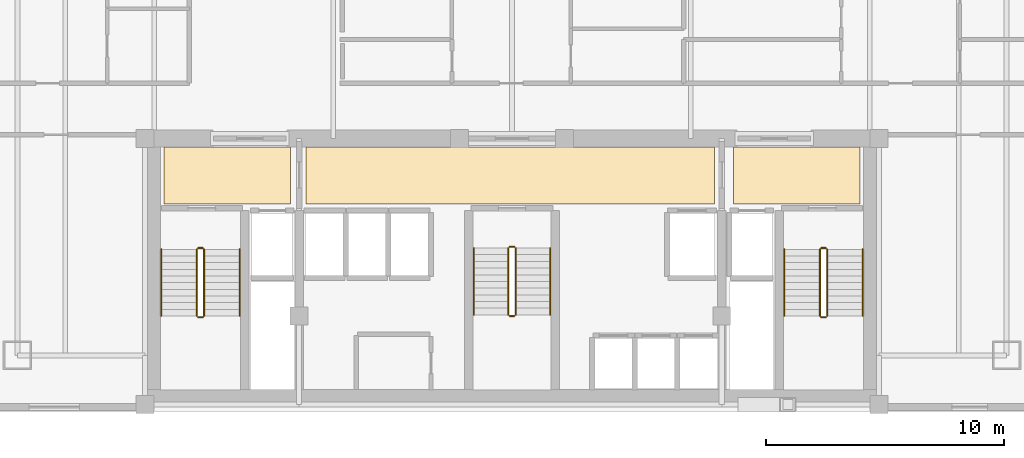
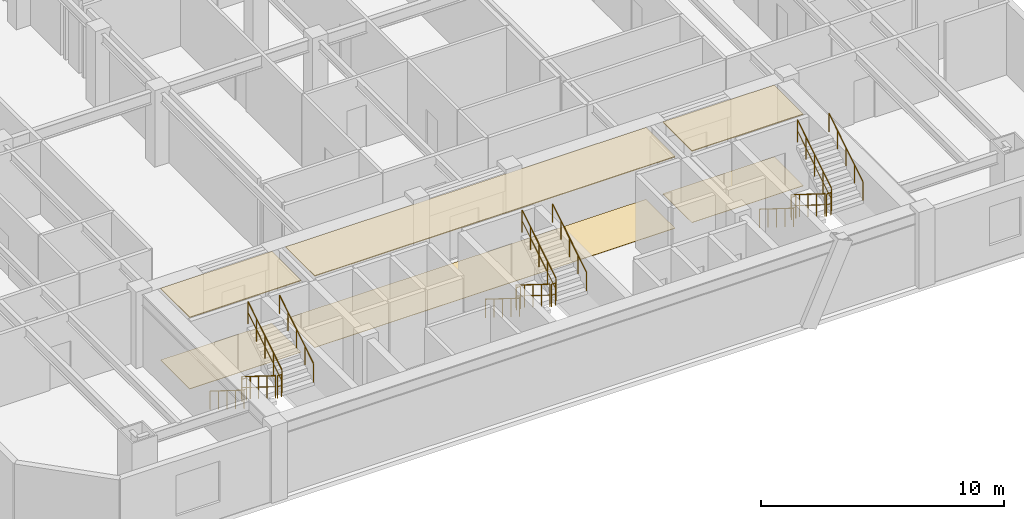
# One storey, part 9 of 9: 18 railings, 6 coverings.
"""IFC4 building model written with IfcOpenShell, lengths in metres."""

from ifc_helpers import new_model, si_unit, direction, frame, origin, origin_2d, place, context, subcontext, project, spatial, polyline, circle, outline, extrude, material, layer, layer_set, type_object, element, save


model = new_model("IFC4")

# Units and contexts
model_context = context("Model", 3, precision=1e-05, world=origin(), true_north=direction((0.0, 1.0)))
body_context = subcontext(model_context, "Body", "Model", "MODEL_VIEW")
ifc_project = project(units=[si_unit("LENGTHUNIT", "METRE"), si_unit("AREAUNIT", "SQUARE_METRE"), si_unit("VOLUMEUNIT", "CUBIC_METRE"), si_unit("PLANEANGLEUNIT", "RADIAN"), si_unit("MASSUNIT", "GRAM", prefix="KILO")], contexts=[model_context])

# Site, building, storey
site_placement = place(None, origin())
site = spatial("IfcSite", under=ifc_project, at=site_placement, CompositionType="ELEMENT")
building_placement = place(site_placement, origin())
building = spatial("IfcBuilding", under=site, at=building_placement, Name="Ventersveld Concourse Tower", CompositionType="ELEMENT")
storey_placement = place(building_placement, frame((0.0, 0.0, 145.199951171875)))
storey = spatial("IfcBuildingStorey", under=building, at=storey_placement, Name="L35", CompositionType="ELEMENT", Elevation=145.199951171875)

# Coverings
ifc_material_1 = material(Name="Mineral-fibre acoustic ceiling tile", Category="gypsum")
ifc_layer_1 = layer(ifc_material_1, 0.0400390625)
ifc_layer_set_1 = layer_set([ifc_layer_1], Name="Mineral-fibre acoustic ceiling tile")
covering_type_1 = type_object("IfcCoveringType", Name="COV-CEIL-ACOUSTIC", PredefinedType="CEILING", material=ifc_layer_set_1)
covering_1_placement = place(storey_placement, frame((0.0, 0.0, 3.590087890625)))
element("IfcCovering", 1, at=covering_1_placement, inside=storey, type_object=covering_type_1, Name="L35 North Lift Lobby Acoustic Ceiling", PredefinedType="CEILING", context=body_context, shape_type="SweptSolid", body=[
    extrude(outline(polyline([(20.10009765625, 8.699951171875), (37.25, 8.699951171875), (37.25, 11.10009765625), (20.10009765625, 11.10009765625), (20.10009765625, 8.699951171875)])), origin(), (0.0, 0.0, 1.0), 0.0400390625),
])
covering_2_placement = place(storey_placement, frame((0.0, 0.0, 3.590087890625)))
element("IfcCovering", 2, at=covering_2_placement, inside=storey, type_object=covering_type_1, Name="L35 West Firefighting Lobby Acoustic Ceiling", PredefinedType="CEILING", context=body_context, shape_type="SweptSolid", body=[
    extrude(outline(polyline([(14.14990234375, 8.699951171875), (19.449951171875, 8.699951171875), (19.449951171875, 11.10009765625), (14.14990234375, 11.10009765625), (14.14990234375, 8.699951171875)])), origin(), (0.0, 0.0, 1.0), 0.0400390625),
])
covering_3_placement = place(storey_placement, frame((0.0, 0.0, 3.590087890625)))
element("IfcCovering", 3, at=covering_3_placement, inside=storey, type_object=covering_type_1, Name="L35 East Firefighting Lobby Acoustic Ceiling", PredefinedType="CEILING", context=body_context, shape_type="SweptSolid", body=[
    extrude(outline(polyline([(38.050048828125, 8.699951171875), (43.35009765625, 8.699951171875), (43.35009765625, 11.10009765625), (38.050048828125, 11.10009765625), (38.050048828125, 8.699951171875)])), origin(), (0.0, 0.0, 1.0), 0.0400390625),
])
ifc_material_2 = material(Name="Polished Highveld granite terrazzo", Category="masonry")
ifc_layer_2 = layer(ifc_material_2, 0.02001953125)
ifc_layer_set_2 = layer_set([ifc_layer_2], Name="Polished Highveld granite terrazzo")
covering_type_2 = type_object("IfcCoveringType", Name="COV-FLOOR-TERRAZZO", PredefinedType="FLOORING", material=ifc_layer_set_2)
covering_4_placement = place(storey_placement, origin())
element("IfcCovering", 4, at=covering_4_placement, inside=storey, type_object=covering_type_2, Name="L35 North Lift Lobby Terrazzo Flooring", PredefinedType="FLOORING", context=body_context, shape_type="SweptSolid", body=[
    extrude(outline(polyline([(20.10009765625, 8.699951171875), (37.25, 8.699951171875), (37.25, 11.10009765625), (20.10009765625, 11.10009765625), (20.10009765625, 8.699951171875)])), origin(), (0.0, 0.0, 1.0), 0.02001953125),
])
covering_5_placement = place(storey_placement, origin())
element("IfcCovering", 5, at=covering_5_placement, inside=storey, type_object=covering_type_2, Name="L35 West Firefighting Lobby Terrazzo Flooring", PredefinedType="FLOORING", context=body_context, shape_type="SweptSolid", body=[
    extrude(outline(polyline([(14.14990234375, 8.699951171875), (19.449951171875, 8.699951171875), (19.449951171875, 11.10009765625), (14.14990234375, 11.10009765625), (14.14990234375, 8.699951171875)])), origin(), (0.0, 0.0, 1.0), 0.02001953125),
])
covering_6_placement = place(storey_placement, origin())
element("IfcCovering", 6, at=covering_6_placement, inside=storey, type_object=covering_type_2, Name="L35 East Firefighting Lobby Terrazzo Flooring", PredefinedType="FLOORING", context=body_context, shape_type="SweptSolid", body=[
    extrude(outline(polyline([(38.050048828125, 8.699951171875), (43.35009765625, 8.699951171875), (43.35009765625, 11.10009765625), (38.050048828125, 11.10009765625), (38.050048828125, 8.699951171875)])), origin(), (0.0, 0.0, 1.0), 0.02001953125),
])

# Railings
ifc_material_3 = material(Name="Brushed stainless steel 316", Category="steel")
railing_type_1 = type_object("IfcRailingType", Name="GD-BAL-115", PredefinedType="GUARDRAIL", material=ifc_material_3)
railing_1_placement = place(storey_placement, frame((15.530029296875, 6.800048828125, 0.175048828125)))
element("IfcRailing", 7, at=railing_1_placement, inside=storey, type_object=railing_type_1, Name="L35 ST-01 stair guard 1", PredefinedType="GUARDRAIL", context=body_context, shape_type="SweptSolid", body=[
    extrude(circle(Radius=0.02392578125, at=origin_2d()), frame((0.0, 0.0, 1.1259765625), z_axis=(0.0, -0.848002457836, 0.529992293815), x_axis=(1.0, 0.0, 0.0)), (0.0, 0.0, 1.0), 3.302001953125),
    extrude(circle(Radius=0.01611328125, at=origin_2d()), frame((0.0, 0.0, 0.574951171875), z_axis=(0.0, -0.848002457836, 0.529992293815), x_axis=(1.0, 0.0, 0.0)), (0.0, 0.0, 1.0), 3.302001953125),
    extrude(circle(Radius=0.02099609375, at=origin_2d()), origin(), (0.0, 0.0, 1.0), 1.101806640625),
    extrude(circle(Radius=0.02099609375, at=origin_2d()), frame((0.0, -0.699951171875, 0.4375)), (0.0, 0.0, 1.0), 1.101806640625),
    extrude(circle(Radius=0.02099609375, at=origin_2d()), frame((0.0, -1.39990234375, 0.875)), (0.0, 0.0, 1.0), 1.101806640625),
    extrude(circle(Radius=0.02099609375, at=origin_2d()), frame((0.0, -2.10009765625, 1.3125)), (0.0, 0.0, 1.0), 1.101806640625),
    extrude(circle(Radius=0.02099609375, at=origin_2d()), frame((0.0, -2.800048828125, 1.75)), (0.0, 0.0, 1.0), 1.101806640625),
])
railing_2_placement = place(storey_placement, frame((15.580078125, 3.949951171875, 1.925048828125)))
element("IfcRailing", 8, at=railing_2_placement, inside=storey, type_object=railing_type_1, Name="L35 ST-01 stair guard 2", PredefinedType="GUARDRAIL", context=body_context, shape_type="SweptSolid", body=[
    extrude(circle(Radius=0.02392578125, at=origin_2d()), frame((0.0, 0.0, 1.1259765625), z_axis=(1.0, 0.0, 0.0), x_axis=(0.0, 1.0, 0.0)), (0.0, 0.0, 1.0), 0.199951171875),
    extrude(circle(Radius=0.01611328125, at=origin_2d()), frame((0.0, 0.0, 0.574951171875), z_axis=(1.0, 0.0, 0.0), x_axis=(0.0, 1.0, 0.0)), (0.0, 0.0, 1.0), 0.199951171875),
    extrude(circle(Radius=0.02099609375, at=origin_2d()), origin(), (0.0, 0.0, 1.0), 1.101806640625),
    extrude(circle(Radius=0.02099609375, at=origin_2d()), frame((0.199951171875, 0.0, 0.0)), (0.0, 0.0, 1.0), 1.101806640625),
])
railing_3_placement = place(storey_placement, frame((15.830078125, 4.0, 2.10009765625)))
element("IfcRailing", 9, at=railing_3_placement, inside=storey, type_object=railing_type_1, Name="L35 ST-01 stair guard 3", PredefinedType="GUARDRAIL", context=body_context, shape_type="SweptSolid", body=[
    extrude(circle(Radius=0.02392578125, at=origin_2d()), frame((0.0, 0.0, 1.1259765625), z_axis=(0.0, 0.848002457836, 0.529992293815), x_axis=(-1.0, 0.0, 0.0)), (0.0, 0.0, 1.0), 3.302001953125),
    extrude(circle(Radius=0.01611328125, at=origin_2d()), frame((0.0, 0.0, 0.574951171875), z_axis=(0.0, 0.848002457836, 0.529992293815), x_axis=(-1.0, 0.0, 0.0)), (0.0, 0.0, 1.0), 3.302001953125),
    extrude(circle(Radius=0.02099609375, at=origin_2d()), origin(), (0.0, 0.0, 1.0), 1.101806640625),
    extrude(circle(Radius=0.02099609375, at=origin_2d()), frame((0.0, 0.699951171875, 0.4375)), (0.0, 0.0, 1.0), 1.101806640625),
    extrude(circle(Radius=0.02099609375, at=origin_2d()), frame((0.0, 1.39990234375, 0.875)), (0.0, 0.0, 1.0), 1.101806640625),
    extrude(circle(Radius=0.02099609375, at=origin_2d()), frame((0.0, 2.10009765625, 1.3125)), (0.0, 0.0, 1.0), 1.101806640625),
    extrude(circle(Radius=0.02099609375, at=origin_2d()), frame((0.0, 2.800048828125, 1.75)), (0.0, 0.0, 1.0), 1.101806640625),
])
railing_4_placement = place(storey_placement, frame((15.580078125, 6.85009765625, 0.0)))
element("IfcRailing", 10, at=railing_4_placement, inside=storey, type_object=railing_type_1, Name="L35 ST-01 stair guard 4", PredefinedType="GUARDRAIL", context=body_context, shape_type="SweptSolid", body=[
    extrude(circle(Radius=0.02392578125, at=origin_2d()), frame((0.0, 0.0, 1.1259765625), z_axis=(1.0, 0.0, 0.0), x_axis=(0.0, 1.0, 0.0)), (0.0, 0.0, 1.0), 0.199951171875),
    extrude(circle(Radius=0.01611328125, at=origin_2d()), frame((0.0, 0.0, 0.574951171875), z_axis=(1.0, 0.0, 0.0), x_axis=(0.0, 1.0, 0.0)), (0.0, 0.0, 1.0), 0.199951171875),
    extrude(circle(Radius=0.02099609375, at=origin_2d()), origin(), (0.0, 0.0, 1.0), 1.101806640625),
    extrude(circle(Radius=0.02099609375, at=origin_2d()), frame((0.199951171875, 0.0, 0.0)), (0.0, 0.0, 1.0), 1.101806640625),
])
railing_5_placement = place(storey_placement, frame((41.669921875, 6.800048828125, 0.175048828125)))
element("IfcRailing", 11, at=railing_5_placement, inside=storey, type_object=railing_type_1, Name="L35 ST-02 stair guard 1", PredefinedType="GUARDRAIL", context=body_context, shape_type="SweptSolid", body=[
    extrude(circle(Radius=0.02392578125, at=origin_2d()), frame((0.0, 0.0, 1.1259765625), z_axis=(0.0, -0.848002457836, 0.529992293815), x_axis=(1.0, 0.0, 0.0)), (0.0, 0.0, 1.0), 3.302001953125),
    extrude(circle(Radius=0.01611328125, at=origin_2d()), frame((0.0, 0.0, 0.574951171875), z_axis=(0.0, -0.848002457836, 0.529992293815), x_axis=(1.0, 0.0, 0.0)), (0.0, 0.0, 1.0), 3.302001953125),
    extrude(circle(Radius=0.02099609375, at=origin_2d()), origin(), (0.0, 0.0, 1.0), 1.101806640625),
    extrude(circle(Radius=0.02099609375, at=origin_2d()), frame((0.0, -0.699951171875, 0.4375)), (0.0, 0.0, 1.0), 1.101806640625),
    extrude(circle(Radius=0.02099609375, at=origin_2d()), frame((0.0, -1.39990234375, 0.875)), (0.0, 0.0, 1.0), 1.101806640625),
    extrude(circle(Radius=0.02099609375, at=origin_2d()), frame((0.0, -2.10009765625, 1.3125)), (0.0, 0.0, 1.0), 1.101806640625),
    extrude(circle(Radius=0.02099609375, at=origin_2d()), frame((0.0, -2.800048828125, 1.75)), (0.0, 0.0, 1.0), 1.101806640625),
])
railing_6_placement = place(storey_placement, frame((41.719970703125, 3.949951171875, 1.925048828125)))
element("IfcRailing", 12, at=railing_6_placement, inside=storey, type_object=railing_type_1, Name="L35 ST-02 stair guard 2", PredefinedType="GUARDRAIL", context=body_context, shape_type="SweptSolid", body=[
    extrude(circle(Radius=0.02392578125, at=origin_2d()), frame((0.0, 0.0, 1.1259765625), z_axis=(1.0, 0.0, 0.0), x_axis=(0.0, 1.0, 0.0)), (0.0, 0.0, 1.0), 0.199951171875),
    extrude(circle(Radius=0.01611328125, at=origin_2d()), frame((0.0, 0.0, 0.574951171875), z_axis=(1.0, 0.0, 0.0), x_axis=(0.0, 1.0, 0.0)), (0.0, 0.0, 1.0), 0.199951171875),
    extrude(circle(Radius=0.02099609375, at=origin_2d()), origin(), (0.0, 0.0, 1.0), 1.101806640625),
    extrude(circle(Radius=0.02099609375, at=origin_2d()), frame((0.199951171875, 0.0, 0.0)), (0.0, 0.0, 1.0), 1.101806640625),
])
railing_7_placement = place(storey_placement, frame((41.969970703125, 4.0, 2.10009765625)))
element("IfcRailing", 13, at=railing_7_placement, inside=storey, type_object=railing_type_1, Name="L35 ST-02 stair guard 3", PredefinedType="GUARDRAIL", context=body_context, shape_type="SweptSolid", body=[
    extrude(circle(Radius=0.02392578125, at=origin_2d()), frame((0.0, 0.0, 1.1259765625), z_axis=(0.0, 0.848002457836, 0.529992293815), x_axis=(-1.0, 0.0, 0.0)), (0.0, 0.0, 1.0), 3.302001953125),
    extrude(circle(Radius=0.01611328125, at=origin_2d()), frame((0.0, 0.0, 0.574951171875), z_axis=(0.0, 0.848002457836, 0.529992293815), x_axis=(-1.0, 0.0, 0.0)), (0.0, 0.0, 1.0), 3.302001953125),
    extrude(circle(Radius=0.02099609375, at=origin_2d()), origin(), (0.0, 0.0, 1.0), 1.101806640625),
    extrude(circle(Radius=0.02099609375, at=origin_2d()), frame((0.0, 0.699951171875, 0.4375)), (0.0, 0.0, 1.0), 1.101806640625),
    extrude(circle(Radius=0.02099609375, at=origin_2d()), frame((0.0, 1.39990234375, 0.875)), (0.0, 0.0, 1.0), 1.101806640625),
    extrude(circle(Radius=0.02099609375, at=origin_2d()), frame((0.0, 2.10009765625, 1.3125)), (0.0, 0.0, 1.0), 1.101806640625),
    extrude(circle(Radius=0.02099609375, at=origin_2d()), frame((0.0, 2.800048828125, 1.75)), (0.0, 0.0, 1.0), 1.101806640625),
])
railing_8_placement = place(storey_placement, frame((41.719970703125, 6.85009765625, 0.0)))
element("IfcRailing", 14, at=railing_8_placement, inside=storey, type_object=railing_type_1, Name="L35 ST-02 stair guard 4", PredefinedType="GUARDRAIL", context=body_context, shape_type="SweptSolid", body=[
    extrude(circle(Radius=0.02392578125, at=origin_2d()), frame((0.0, 0.0, 1.1259765625), z_axis=(1.0, 0.0, 0.0), x_axis=(0.0, 1.0, 0.0)), (0.0, 0.0, 1.0), 0.199951171875),
    extrude(circle(Radius=0.01611328125, at=origin_2d()), frame((0.0, 0.0, 0.574951171875), z_axis=(1.0, 0.0, 0.0), x_axis=(0.0, 1.0, 0.0)), (0.0, 0.0, 1.0), 0.199951171875),
    extrude(circle(Radius=0.02099609375, at=origin_2d()), origin(), (0.0, 0.0, 1.0), 1.101806640625),
    extrude(circle(Radius=0.02099609375, at=origin_2d()), frame((0.199951171875, 0.0, 0.0)), (0.0, 0.0, 1.0), 1.101806640625),
])
railing_9_placement = place(storey_placement, frame((28.60009765625, 6.85009765625, 0.175048828125)))
element("IfcRailing", 15, at=railing_9_placement, inside=storey, type_object=railing_type_1, Name="L35 ST-03 stair guard 1", PredefinedType="GUARDRAIL", context=body_context, shape_type="SweptSolid", body=[
    extrude(circle(Radius=0.02392578125, at=origin_2d()), frame((0.0, 0.0, 1.1259765625), z_axis=(0.0, -0.848002457836, 0.529992293815), x_axis=(1.0, 0.0, 0.0)), (0.0, 0.0, 1.0), 3.302001953125),
    extrude(circle(Radius=0.01611328125, at=origin_2d()), frame((0.0, 0.0, 0.574951171875), z_axis=(0.0, -0.848002457836, 0.529992293815), x_axis=(1.0, 0.0, 0.0)), (0.0, 0.0, 1.0), 3.302001953125),
    extrude(circle(Radius=0.02099609375, at=origin_2d()), origin(), (0.0, 0.0, 1.0), 1.101806640625),
    extrude(circle(Radius=0.02099609375, at=origin_2d()), frame((0.0, -0.699951171875, 0.4375)), (0.0, 0.0, 1.0), 1.101806640625),
    extrude(circle(Radius=0.02099609375, at=origin_2d()), frame((0.0, -1.39990234375, 0.875)), (0.0, 0.0, 1.0), 1.101806640625),
    extrude(circle(Radius=0.02099609375, at=origin_2d()), frame((0.0, -2.10009765625, 1.3125)), (0.0, 0.0, 1.0), 1.101806640625),
    extrude(circle(Radius=0.02099609375, at=origin_2d()), frame((0.0, -2.800048828125, 1.75)), (0.0, 0.0, 1.0), 1.101806640625),
])
railing_10_placement = place(storey_placement, frame((28.64990234375, 4.0, 1.925048828125)))
element("IfcRailing", 16, at=railing_10_placement, inside=storey, type_object=railing_type_1, Name="L35 ST-03 stair guard 2", PredefinedType="GUARDRAIL", context=body_context, shape_type="SweptSolid", body=[
    extrude(circle(Radius=0.02392578125, at=origin_2d()), frame((0.0, 0.0, 1.1259765625), z_axis=(1.0, 0.0, 0.0), x_axis=(0.0, 1.0, 0.0)), (0.0, 0.0, 1.0), 0.2001953125),
    extrude(circle(Radius=0.01611328125, at=origin_2d()), frame((0.0, 0.0, 0.574951171875), z_axis=(1.0, 0.0, 0.0), x_axis=(0.0, 1.0, 0.0)), (0.0, 0.0, 1.0), 0.2001953125),
    extrude(circle(Radius=0.02099609375, at=origin_2d()), origin(), (0.0, 0.0, 1.0), 1.101806640625),
    extrude(circle(Radius=0.02099609375, at=origin_2d()), frame((0.2001953125, 0.0, 0.0)), (0.0, 0.0, 1.0), 1.101806640625),
])
railing_11_placement = place(storey_placement, frame((28.89990234375, 4.050048828125, 2.10009765625)))
element("IfcRailing", 17, at=railing_11_placement, inside=storey, type_object=railing_type_1, Name="L35 ST-03 stair guard 3", PredefinedType="GUARDRAIL", context=body_context, shape_type="SweptSolid", body=[
    extrude(circle(Radius=0.02392578125, at=origin_2d()), frame((0.0, 0.0, 1.1259765625), z_axis=(0.0, 0.848002457836, 0.529992293815), x_axis=(-1.0, 0.0, 0.0)), (0.0, 0.0, 1.0), 3.302001953125),
    extrude(circle(Radius=0.01611328125, at=origin_2d()), frame((0.0, 0.0, 0.574951171875), z_axis=(0.0, 0.848002457836, 0.529992293815), x_axis=(-1.0, 0.0, 0.0)), (0.0, 0.0, 1.0), 3.302001953125),
    extrude(circle(Radius=0.02099609375, at=origin_2d()), origin(), (0.0, 0.0, 1.0), 1.101806640625),
    extrude(circle(Radius=0.02099609375, at=origin_2d()), frame((0.0, 0.699951171875, 0.4375)), (0.0, 0.0, 1.0), 1.101806640625),
    extrude(circle(Radius=0.02099609375, at=origin_2d()), frame((0.0, 1.39990234375, 0.875)), (0.0, 0.0, 1.0), 1.101806640625),
    extrude(circle(Radius=0.02099609375, at=origin_2d()), frame((0.0, 2.10009765625, 1.3125)), (0.0, 0.0, 1.0), 1.101806640625),
    extrude(circle(Radius=0.02099609375, at=origin_2d()), frame((0.0, 2.800048828125, 1.75)), (0.0, 0.0, 1.0), 1.101806640625),
])
railing_12_placement = place(storey_placement, frame((28.64990234375, 6.89990234375, 0.0)))
element("IfcRailing", 18, at=railing_12_placement, inside=storey, type_object=railing_type_1, Name="L35 ST-03 stair guard 4", PredefinedType="GUARDRAIL", context=body_context, shape_type="SweptSolid", body=[
    extrude(circle(Radius=0.02392578125, at=origin_2d()), frame((0.0, 0.0, 1.1259765625), z_axis=(1.0, 0.0, 0.0), x_axis=(0.0, 1.0, 0.0)), (0.0, 0.0, 1.0), 0.2001953125),
    extrude(circle(Radius=0.01611328125, at=origin_2d()), frame((0.0, 0.0, 0.574951171875), z_axis=(1.0, 0.0, 0.0), x_axis=(0.0, 1.0, 0.0)), (0.0, 0.0, 1.0), 0.2001953125),
    extrude(circle(Radius=0.02099609375, at=origin_2d()), origin(), (0.0, 0.0, 1.0), 1.101806640625),
    extrude(circle(Radius=0.02099609375, at=origin_2d()), frame((0.2001953125, 0.0, 0.0)), (0.0, 0.0, 1.0), 1.101806640625),
])
railing_type_2 = type_object("IfcRailingType", Name="HR-RMP-095", PredefinedType="HANDRAIL", material=ifc_material_3)
railing_13_placement = place(storey_placement, frame((14.030029296875, 6.800048828125, 0.175048828125)))
element("IfcRailing", 19, at=railing_13_placement, inside=storey, type_object=railing_type_2, Name="L35 ST-01 stair handrail 1", PredefinedType="HANDRAIL", context=body_context, shape_type="SweptSolid", body=[
    extrude(circle(Radius=0.02392578125, at=origin_2d()), frame((0.0, 0.0, 0.92578125), z_axis=(0.0, -0.848002457836, 0.529992293815), x_axis=(1.0, 0.0, 0.0)), (0.0, 0.0, 1.0), 3.302001953125),
    extrude(circle(Radius=0.02099609375, at=origin_2d()), origin(), (0.0, 0.0, 1.0), 0.90185546875),
    extrude(circle(Radius=0.02099609375, at=origin_2d()), frame((0.0, -0.699951171875, 0.4375)), (0.0, 0.0, 1.0), 0.90185546875),
    extrude(circle(Radius=0.02099609375, at=origin_2d()), frame((0.0, -1.39990234375, 0.875)), (0.0, 0.0, 1.0), 0.90185546875),
    extrude(circle(Radius=0.02099609375, at=origin_2d()), frame((0.0, -2.10009765625, 1.3125)), (0.0, 0.0, 1.0), 0.90185546875),
    extrude(circle(Radius=0.02099609375, at=origin_2d()), frame((0.0, -2.800048828125, 1.75)), (0.0, 0.0, 1.0), 0.90185546875),
])
railing_14_placement = place(storey_placement, frame((17.330078125, 4.0, 2.10009765625)))
element("IfcRailing", 20, at=railing_14_placement, inside=storey, type_object=railing_type_2, Name="L35 ST-01 stair handrail 2", PredefinedType="HANDRAIL", context=body_context, shape_type="SweptSolid", body=[
    extrude(circle(Radius=0.02392578125, at=origin_2d()), frame((0.0, 0.0, 0.92578125), z_axis=(0.0, 0.848002457836, 0.529992293815), x_axis=(-1.0, 0.0, 0.0)), (0.0, 0.0, 1.0), 3.302001953125),
    extrude(circle(Radius=0.02099609375, at=origin_2d()), origin(), (0.0, 0.0, 1.0), 0.90185546875),
    extrude(circle(Radius=0.02099609375, at=origin_2d()), frame((0.0, 0.699951171875, 0.4375)), (0.0, 0.0, 1.0), 0.90185546875),
    extrude(circle(Radius=0.02099609375, at=origin_2d()), frame((0.0, 1.39990234375, 0.875)), (0.0, 0.0, 1.0), 0.90185546875),
    extrude(circle(Radius=0.02099609375, at=origin_2d()), frame((0.0, 2.10009765625, 1.3125)), (0.0, 0.0, 1.0), 0.90185546875),
    extrude(circle(Radius=0.02099609375, at=origin_2d()), frame((0.0, 2.800048828125, 1.75)), (0.0, 0.0, 1.0), 0.90185546875),
])
railing_15_placement = place(storey_placement, frame((40.169921875, 6.800048828125, 0.175048828125)))
element("IfcRailing", 21, at=railing_15_placement, inside=storey, type_object=railing_type_2, Name="L35 ST-02 stair handrail 1", PredefinedType="HANDRAIL", context=body_context, shape_type="SweptSolid", body=[
    extrude(circle(Radius=0.02392578125, at=origin_2d()), frame((0.0, 0.0, 0.92578125), z_axis=(0.0, -0.848002457836, 0.529992293815), x_axis=(1.0, 0.0, 0.0)), (0.0, 0.0, 1.0), 3.302001953125),
    extrude(circle(Radius=0.02099609375, at=origin_2d()), origin(), (0.0, 0.0, 1.0), 0.90185546875),
    extrude(circle(Radius=0.02099609375, at=origin_2d()), frame((0.0, -0.699951171875, 0.4375)), (0.0, 0.0, 1.0), 0.90185546875),
    extrude(circle(Radius=0.02099609375, at=origin_2d()), frame((0.0, -1.39990234375, 0.875)), (0.0, 0.0, 1.0), 0.90185546875),
    extrude(circle(Radius=0.02099609375, at=origin_2d()), frame((0.0, -2.10009765625, 1.3125)), (0.0, 0.0, 1.0), 0.90185546875),
    extrude(circle(Radius=0.02099609375, at=origin_2d()), frame((0.0, -2.800048828125, 1.75)), (0.0, 0.0, 1.0), 0.90185546875),
])
railing_16_placement = place(storey_placement, frame((43.469970703125, 4.0, 2.10009765625)))
element("IfcRailing", 22, at=railing_16_placement, inside=storey, type_object=railing_type_2, Name="L35 ST-02 stair handrail 2", PredefinedType="HANDRAIL", context=body_context, shape_type="SweptSolid", body=[
    extrude(circle(Radius=0.02392578125, at=origin_2d()), frame((0.0, 0.0, 0.92578125), z_axis=(0.0, 0.848002457836, 0.529992293815), x_axis=(-1.0, 0.0, 0.0)), (0.0, 0.0, 1.0), 3.302001953125),
    extrude(circle(Radius=0.02099609375, at=origin_2d()), origin(), (0.0, 0.0, 1.0), 0.90185546875),
    extrude(circle(Radius=0.02099609375, at=origin_2d()), frame((0.0, 0.699951171875, 0.4375)), (0.0, 0.0, 1.0), 0.90185546875),
    extrude(circle(Radius=0.02099609375, at=origin_2d()), frame((0.0, 1.39990234375, 0.875)), (0.0, 0.0, 1.0), 0.90185546875),
    extrude(circle(Radius=0.02099609375, at=origin_2d()), frame((0.0, 2.10009765625, 1.3125)), (0.0, 0.0, 1.0), 0.90185546875),
    extrude(circle(Radius=0.02099609375, at=origin_2d()), frame((0.0, 2.800048828125, 1.75)), (0.0, 0.0, 1.0), 0.90185546875),
])
railing_17_placement = place(storey_placement, frame((27.14990234375, 6.85009765625, 0.175048828125)))
element("IfcRailing", 23, at=railing_17_placement, inside=storey, type_object=railing_type_2, Name="L35 ST-03 stair handrail 1", PredefinedType="HANDRAIL", context=body_context, shape_type="SweptSolid", body=[
    extrude(circle(Radius=0.02392578125, at=origin_2d()), frame((0.0, 0.0, 0.92578125), z_axis=(0.0, -0.848002457836, 0.529992293815), x_axis=(1.0, 0.0, 0.0)), (0.0, 0.0, 1.0), 3.302001953125),
    extrude(circle(Radius=0.02099609375, at=origin_2d()), origin(), (0.0, 0.0, 1.0), 0.90185546875),
    extrude(circle(Radius=0.02099609375, at=origin_2d()), frame((0.0, -0.699951171875, 0.4375)), (0.0, 0.0, 1.0), 0.90185546875),
    extrude(circle(Radius=0.02099609375, at=origin_2d()), frame((0.0, -1.39990234375, 0.875)), (0.0, 0.0, 1.0), 0.90185546875),
    extrude(circle(Radius=0.02099609375, at=origin_2d()), frame((0.0, -2.10009765625, 1.3125)), (0.0, 0.0, 1.0), 0.90185546875),
    extrude(circle(Radius=0.02099609375, at=origin_2d()), frame((0.0, -2.800048828125, 1.75)), (0.0, 0.0, 1.0), 0.90185546875),
])
railing_18_placement = place(storey_placement, frame((30.35009765625, 4.050048828125, 2.10009765625)))
element("IfcRailing", 24, at=railing_18_placement, inside=storey, type_object=railing_type_2, Name="L35 ST-03 stair handrail 2", PredefinedType="HANDRAIL", context=body_context, shape_type="SweptSolid", body=[
    extrude(circle(Radius=0.02392578125, at=origin_2d()), frame((0.0, 0.0, 0.92578125), z_axis=(0.0, 0.848002457836, 0.529992293815), x_axis=(-1.0, 0.0, 0.0)), (0.0, 0.0, 1.0), 3.302001953125),
    extrude(circle(Radius=0.02099609375, at=origin_2d()), origin(), (0.0, 0.0, 1.0), 0.90185546875),
    extrude(circle(Radius=0.02099609375, at=origin_2d()), frame((0.0, 0.699951171875, 0.4375)), (0.0, 0.0, 1.0), 0.90185546875),
    extrude(circle(Radius=0.02099609375, at=origin_2d()), frame((0.0, 1.39990234375, 0.875)), (0.0, 0.0, 1.0), 0.90185546875),
    extrude(circle(Radius=0.02099609375, at=origin_2d()), frame((0.0, 2.10009765625, 1.3125)), (0.0, 0.0, 1.0), 0.90185546875),
    extrude(circle(Radius=0.02099609375, at=origin_2d()), frame((0.0, 2.800048828125, 1.75)), (0.0, 0.0, 1.0), 0.90185546875),
])

save(model, "model.ifc")
